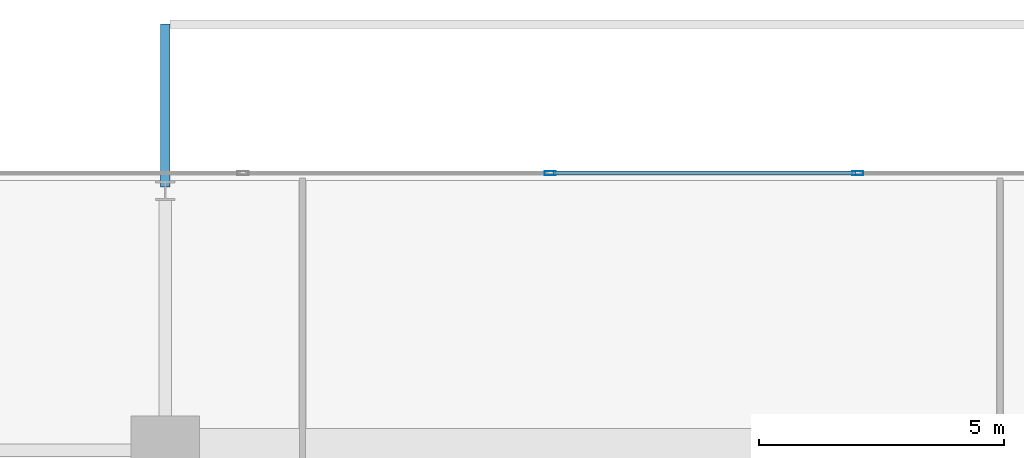
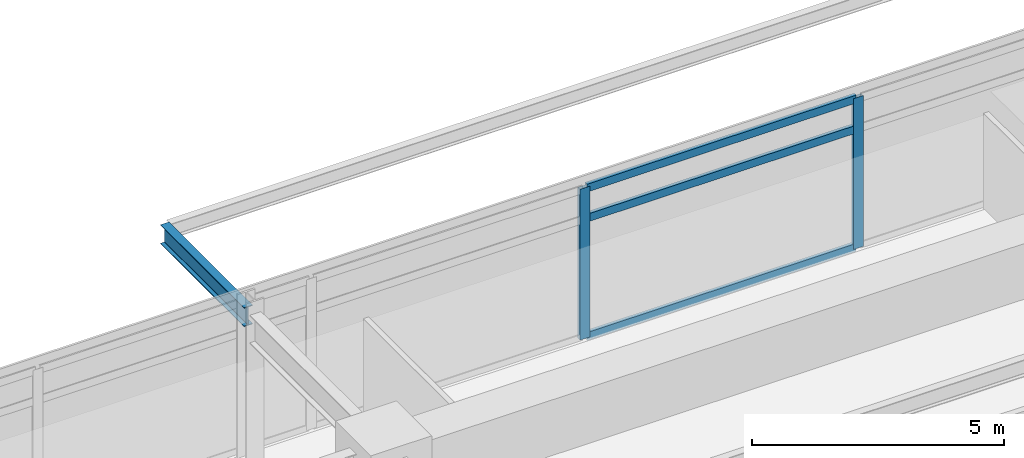
# One storey, part 9 of 22: 5 members, 1 beam, 1 element without a shape of its own.
"""IFC4 building model written with IfcOpenShell, lengths in metres."""

from ifc_helpers import new_model, si_unit, direction, frame, origin, origin_2d, place, context, subcontext, project, spatial, hollow_rectangle, i_section, extrude, material, material_profile, profile_set, type_object, element, aggregate, save


model = new_model("IFC4")

# Units and contexts
model_context = context("Model", 3, precision=1e-05, world=origin(), true_north=direction((0.0, 1.0)))
body_context = subcontext(model_context, "Body", "Model", "MODEL_VIEW")
ifc_project = project(units=[si_unit("LENGTHUNIT", "METRE"), si_unit("AREAUNIT", "SQUARE_METRE"), si_unit("VOLUMEUNIT", "CUBIC_METRE"), si_unit("PLANEANGLEUNIT", "RADIAN"), si_unit("MASSUNIT", "GRAM", prefix="KILO")], contexts=[model_context])

# Site, building, storey
site_placement = place(None, origin())
site = spatial("IfcSite", under=ifc_project, at=site_placement, CompositionType="ELEMENT")
building_placement = place(site_placement, origin())
building = spatial("IfcBuilding", under=site, at=building_placement, Name="Kovane Verandah Tower", CompositionType="ELEMENT")
storey_placement = place(building_placement, frame((0.0, 0.0, 229.199951171875)))
storey = spatial("IfcBuildingStorey", under=building, at=storey_placement, Name="L53", CompositionType="ELEMENT", Elevation=229.199951171875)

# Curtain wall, members
ifc_material_1 = material(Name="Champagne Anodised Aluminium Frame with Low-E Clear Laminated Glass", Category="aluminium")
curtain_wall_type = type_object("IfcCurtainWallType", Name="CW-SYS-03-MID", PredefinedType="NOTDEFINED", material=ifc_material_1)
curtain_wall_placement = place(storey_placement, origin())
curtain_wall = element("IfcCurtainWall", 1, at=curtain_wall_placement, inside=storey, type_object=curtain_wall_type, Name="L53 N Unitised Curtain Wall", PredefinedType="NOTDEFINED")
ifc_material_2 = material(Name="Champagne Anodised Aluminium 6063-T6", Category="aluminium")
ifc_material_profile_1 = material_profile(ifc_material_2, hollow_rectangle(XDim=0.0849609375, YDim=0.22998046875, WallThickness=0.00390625, at=origin_2d()), Name="AL85x230x4")
ifc_profile_set_1 = profile_set([ifc_material_profile_1], Name="Champagne Anodised Aluminium 6063-T6")
member_type_1 = type_object("IfcMemberType", Name="CW-MUL-85x230", PredefinedType="MULLION", material=ifc_profile_set_1)
member_1_placement = place(storey_placement, frame((43.138427734375, 49.860107421875, 0.02001953125), z_axis=(0.0, 0.0, 1.0), x_axis=(0.0, 1.0, 0.0)))
member_1 = element("IfcMember", 2, at=member_1_placement, type_object=member_type_1, Name="L53 N Unitised Curtain Wall Mullion 4", PredefinedType="MULLION", context=body_context, shape_type="SweptSolid", body=[
    extrude(hollow_rectangle(XDim=0.0849609375, YDim=0.22998046875, WallThickness=0.00390625, at=origin_2d()), origin(), (0.0, 0.0, 1.0), 3.659912109375),
])
member_2_placement = place(storey_placement, frame((36.861572265625, 49.860107421875, 0.02001953125), z_axis=(0.0, 0.0, 1.0), x_axis=(0.0, 1.0, 0.0)))
member_2 = element("IfcMember", 3, at=member_2_placement, type_object=member_type_1, Name="L53 N Unitised Curtain Wall Mullion 5", PredefinedType="MULLION", context=body_context, shape_type="SweptSolid", body=[
    extrude(hollow_rectangle(XDim=0.0849609375, YDim=0.22998046875, WallThickness=0.00390625, at=origin_2d()), origin(), (0.0, 0.0, 1.0), 3.659912109375),
])
ifc_material_profile_2 = material_profile(ifc_material_2, hollow_rectangle(XDim=0.0849609375, YDim=0.18994140625, WallThickness=0.00390625, at=origin_2d()), Name="AL85x190x4")
ifc_profile_set_2 = profile_set([ifc_material_profile_2], Name="Champagne Anodised Aluminium 6063-T6")
member_type_2 = type_object("IfcMemberType", Name="CW-TRN-85x190", PredefinedType="USERDEFINED", material=ifc_profile_set_2)
member_3_placement = place(storey_placement, frame((43.08837890625, 49.860107421875, 0.050048828125), z_axis=(-1.0, 0.0, 0.0), x_axis=(0.0, -1.0, 0.0)))
member_3 = element("IfcMember", 4, at=member_3_placement, type_object=member_type_2, Name="L53 N Unitised Curtain Wall Transom TB Bay 4", ObjectType="TRANSOM", PredefinedType="USERDEFINED", context=body_context, shape_type="SweptSolid", body=[
    extrude(hollow_rectangle(XDim=0.0849609375, YDim=0.18994140625, WallThickness=0.00390625, at=origin_2d()), origin(), (0.0, 0.0, 1.0), 6.1767578125),
])
member_4_placement = place(storey_placement, frame((43.08837890625, 49.860107421875, 2.920166015625), z_axis=(-1.0, 0.0, 0.0), x_axis=(0.0, -1.0, 0.0)))
member_4 = element("IfcMember", 5, at=member_4_placement, type_object=member_type_2, Name="L53 N Unitised Curtain Wall Transom TM Bay 4", ObjectType="TRANSOM", PredefinedType="USERDEFINED", context=body_context, shape_type="SweptSolid", body=[
    extrude(hollow_rectangle(XDim=0.0849609375, YDim=0.18994140625, WallThickness=0.00390625, at=origin_2d()), origin(), (0.0, 0.0, 1.0), 6.1767578125),
])
member_5_placement = place(storey_placement, frame((43.08837890625, 49.860107421875, 3.650146484375), z_axis=(-1.0, 0.0, 0.0), x_axis=(0.0, -1.0, 0.0)))
member_5 = element("IfcMember", 6, at=member_5_placement, type_object=member_type_2, Name="L53 N Unitised Curtain Wall Transom TT Bay 4", ObjectType="TRANSOM", PredefinedType="USERDEFINED", context=body_context, shape_type="SweptSolid", body=[
    extrude(hollow_rectangle(XDim=0.0849609375, YDim=0.18994140625, WallThickness=0.00390625, at=origin_2d()), origin(), (0.0, 0.0, 1.0), 6.1767578125),
])
aggregate(curtain_wall, [member_1, member_2, member_3, member_4, member_5])

# Beam
ifc_material_3 = material(Name="Steel S355", Category="steel")
ifc_material_profile_3 = material_profile(ifc_material_3, i_section(OverallWidth=0.19287109375, OverallDepth=0.46728515625, WebThickness=0.011474609375, FlangeThickness=0.01953125, FilletRadius=0.01025390625, at=origin_2d()), Name="UB457x191x98")
ifc_profile_set_3 = profile_set([ifc_material_profile_3], Name="Steel S355")
beam_type = type_object("IfcBeamType", Name="JST-UB457x98", PredefinedType="JOIST", material=ifc_profile_set_3)
beam_placement = place(storey_placement, frame((29.0, 49.580078125, 3.466552734375), z_axis=(0.0, 1.0, 0.0), x_axis=(-1.0, 0.0, 0.0)))
element("IfcBeam", 7, at=beam_placement, inside=storey, type_object=beam_type, Name="L53 North Planter Girder 1", PredefinedType="JOIST", context=body_context, shape_type="SweptSolid", body=[
    extrude(i_section(OverallWidth=0.19287109375, OverallDepth=0.46728515625, WebThickness=0.011474609375, FlangeThickness=0.01953125, FilletRadius=0.01025390625, at=origin_2d()), origin(), (0.0, 0.0, 1.0), 3.319580078125),
])

save(model, "model.ifc")
